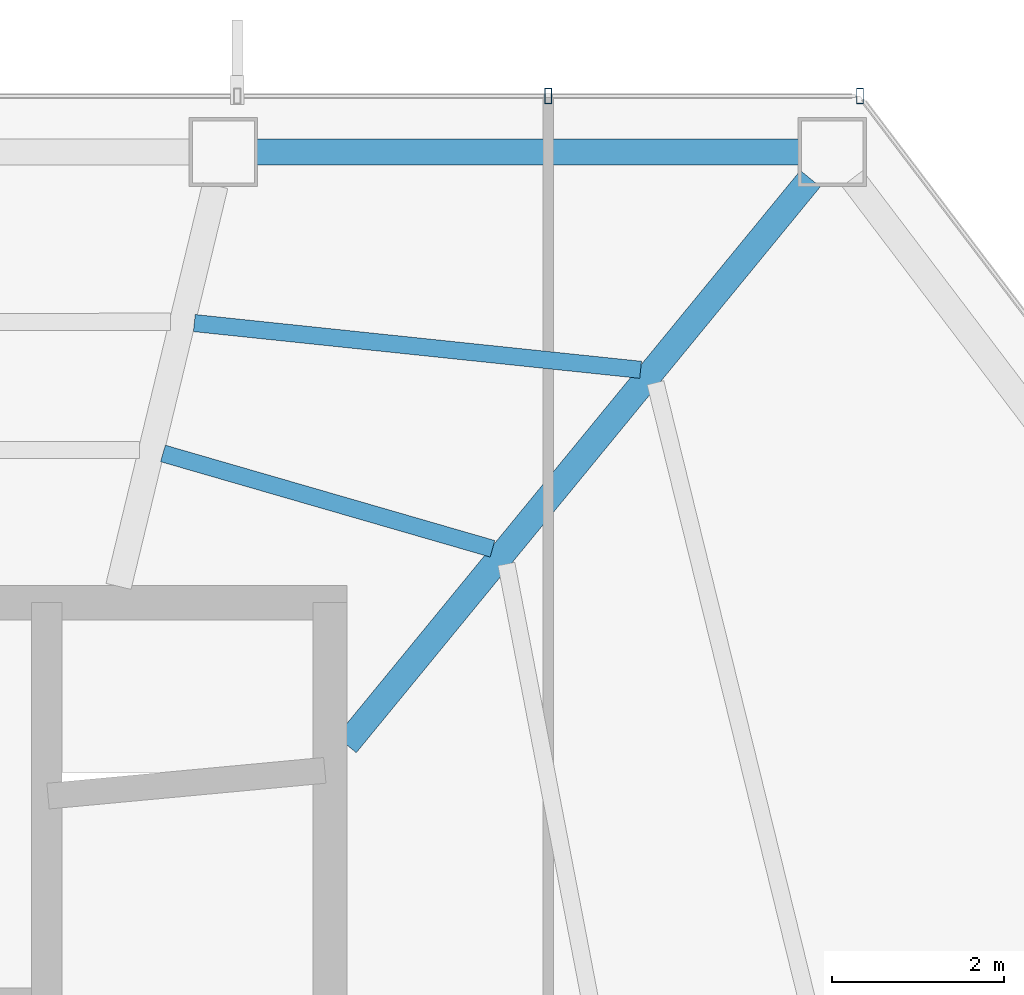
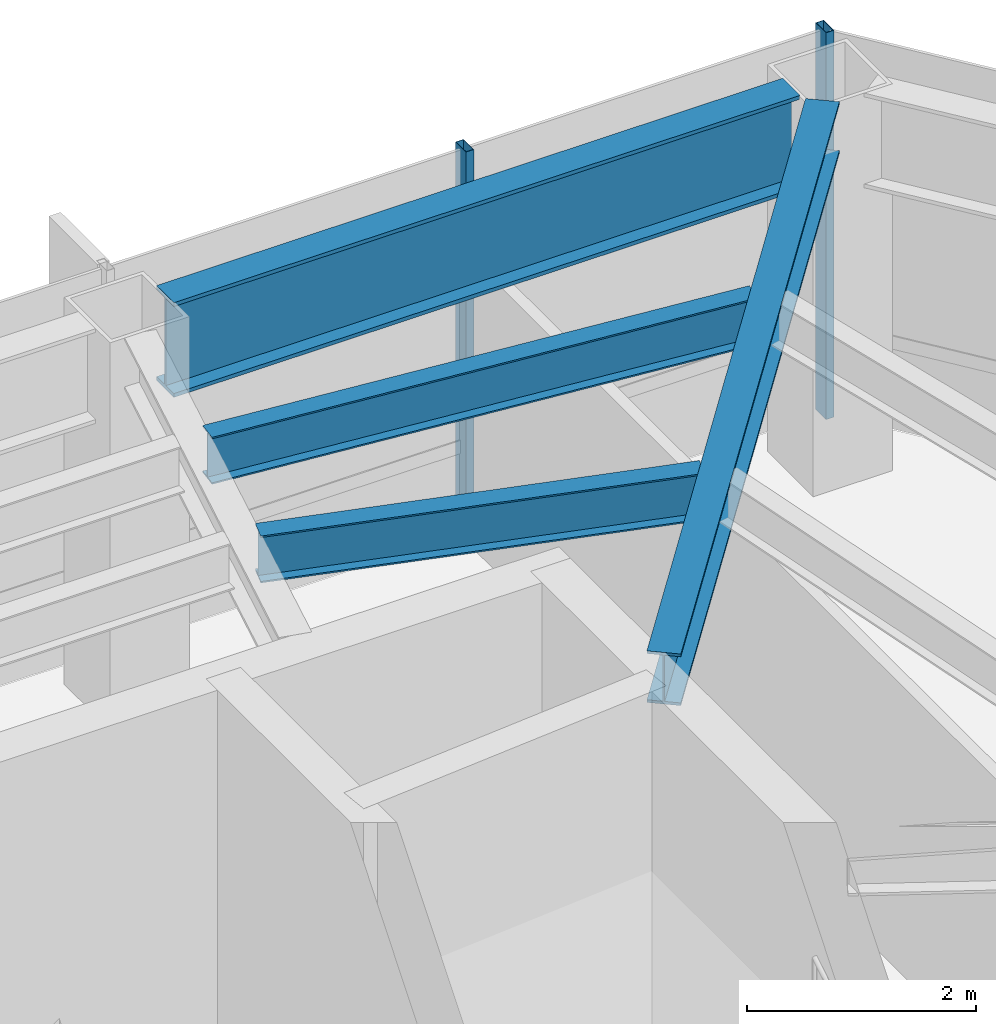
# One storey, part 19 of 27: 4 beams, 2 members, 1 element without a shape of its own.
"""IFC4 building model written with IfcOpenShell, lengths in metres."""

from ifc_helpers import new_model, si_unit, direction, frame, origin, origin_2d, place, context, subcontext, project, spatial, hollow_rectangle, i_section, extrude, material, layer, layer_set, material_profile, profile_set, type_object, element, aggregate, save


model = new_model("IFC4")

# Units and contexts
model_context = context("Model", 3, precision=1e-05, world=origin(), true_north=direction((0.0, 1.0)))
body_context = subcontext(model_context, "Body", "Model", "MODEL_VIEW")
ifc_project = project(units=[si_unit("LENGTHUNIT", "METRE"), si_unit("AREAUNIT", "SQUARE_METRE"), si_unit("VOLUMEUNIT", "CUBIC_METRE"), si_unit("PLANEANGLEUNIT", "RADIAN"), si_unit("MASSUNIT", "GRAM", prefix="KILO")], contexts=[model_context])

# Site, building, storey
site_placement = place(None, origin())
site = spatial("IfcSite", under=ifc_project, at=site_placement, CompositionType="ELEMENT")
building_placement = place(site_placement, origin())
building = spatial("IfcBuilding", under=site, at=building_placement, Name="Zarrinselat Tower", CompositionType="ELEMENT")
storey_placement = place(building_placement, frame((0.0, 0.0, 114.580078125)))
storey = spatial("IfcBuildingStorey", under=building, at=storey_placement, Name="L27", CompositionType="ELEMENT", Elevation=114.580078125)

# Beams
ifc_material_1 = material(Name="Steel S355J2", Category="steel")
ifc_material_profile_1 = material_profile(ifc_material_1, i_section(OverallWidth=0.300048828125, OverallDepth=0.550048828125, WebThickness=0.014892578125, FlangeThickness=0.029052734375, at=origin_2d()), Name="HEB 550")
ifc_profile_set_1 = profile_set([ifc_material_profile_1], Name="Steel S355J2")
beam_type_1 = type_object("IfcBeamType", Name="BM-HEB550", PredefinedType="BEAM", material=ifc_profile_set_1)
beam_1_placement = place(storey_placement, frame((48.449951171875, 41.800048828125, 3.844970703125), z_axis=(0.634077530631, 0.773269477704, 0.0), x_axis=(-0.773269477704, 0.634077530631, 0.0)))
element("IfcBeam", 1, at=beam_1_placement, inside=storey, type_object=beam_type_1, Name="L27 Radial Primary Girder RG01", PredefinedType="BEAM", context=body_context, shape_type="SweptSolid", body=[
    extrude(i_section(OverallWidth=0.300048828125, OverallDepth=0.550048828125, WebThickness=0.014892578125, FlangeThickness=0.029052734375, at=origin_2d()), origin(), (0.0, 0.0, 1.0), 8.513916015625),
])
ifc_material_2 = material(Name="Steel S460M", Category="steel")
ifc_material_profile_2 = material_profile(ifc_material_2, i_section(OverallWidth=0.302001953125, OverallDepth=1.008056640625, WebThickness=0.02099609375, FlangeThickness=0.0400390625, at=origin_2d()), Name="HEM 1000")
ifc_profile_set_2 = profile_set([ifc_material_profile_2], Name="Steel S460M")
beam_type_2 = type_object("IfcBeamType", Name="BM-HEM1000", PredefinedType="BEAM", material=ifc_profile_set_2)
beam_2_placement = place(storey_placement, frame((47.4072265625, 48.6943359375, 3.615966796875), z_axis=(1.0, 0.0, 0.0), x_axis=(0.0, 1.0, 0.0)))
element("IfcBeam", 2, at=beam_2_placement, inside=storey, type_object=beam_type_2, Name="L27 Perimeter Spandrel Girder SP01", PredefinedType="BEAM", context=body_context, shape_type="SweptSolid", body=[
    extrude(i_section(OverallWidth=0.302001953125, OverallDepth=1.008056640625, WebThickness=0.02099609375, FlangeThickness=0.0400390625, at=origin_2d()), origin(), (0.0, 0.0, 1.0), 6.30810546875),
])
ifc_material_3 = material(Name="Steel S355J2", Category="steel")
ifc_material_profile_3 = material_profile(ifc_material_3, i_section(OverallWidth=0.199951171875, OverallDepth=0.5, WebThickness=0.01025390625, FlangeThickness=0.01611328125, at=origin_2d()), Name="IPE 500")
ifc_profile_set_3 = profile_set([ifc_material_profile_3], Name="Steel S355J2")
beam_type_3 = type_object("IfcBeamType", Name="BM-IPE500", PredefinedType="JOIST", material=ifc_profile_set_3)
beam_3_placement = place(storey_placement, frame((46.681640625, 46.703369140625, 3.869873046875), z_axis=(0.994561938504, -0.104146773736, 0.0), x_axis=(0.104146773736, 0.994561938504, 0.0)))
element("IfcBeam", 3, at=beam_3_placement, inside=storey, type_object=beam_type_3, Name="L27 Composite Floor Joist 6-1", PredefinedType="JOIST", context=body_context, shape_type="SweptSolid", body=[
    extrude(i_section(OverallWidth=0.199951171875, OverallDepth=0.5, WebThickness=0.01025390625, FlangeThickness=0.01611328125, at=origin_2d()), origin(), (0.0, 0.0, 1.0), 5.220458984375),
])
beam_4_placement = place(storey_placement, frame((46.31689453125, 45.186767578125, 3.869873046875), z_axis=(0.960595214186, -0.277951136861, 0.0), x_axis=(0.277951136861, 0.960595214186, 0.0)))
element("IfcBeam", 4, at=beam_4_placement, inside=storey, type_object=beam_type_3, Name="L27 Composite Floor Joist 6-2", PredefinedType="JOIST", context=body_context, shape_type="SweptSolid", body=[
    extrude(i_section(OverallWidth=0.199951171875, OverallDepth=0.5, WebThickness=0.01025390625, FlangeThickness=0.01611328125, at=origin_2d()), origin(), (0.0, 0.0, 1.0), 3.9912109375),
])

# Curtain wall, members
ifc_material_4 = material(Name="Extruded Aluminium Alloy EN AW-6063 T6", Category="aluminium")
ifc_layer = layer(ifc_material_4, 0.195068359375)
ifc_layer_set = layer_set([ifc_layer], Name="Extruded Aluminium Alloy EN AW-6063 T6")
curtain_wall_type = type_object("IfcCurtainWallType", Name="CWS-GDN", PredefinedType="NOTDEFINED", material=ifc_layer_set)
curtain_wall_placement = place(storey_placement, origin())
curtain_wall = element("IfcCurtainWall", 5, at=curtain_wall_placement, inside=storey, type_object=curtain_wall_type, Name="L27 Unitised Curtain Wall CW-L27-E04", PredefinedType="NOTDEFINED")
ifc_material_5 = material(Name="Extruded Aluminium Alloy EN AW-6063 T6", Category="aluminium")
ifc_material_profile_4 = material_profile(ifc_material_5, hollow_rectangle(XDim=0.080078125, YDim=0.179931640625, WallThickness=0.0048828125, at=origin_2d()), Name="RHS 180x80x5")
ifc_profile_set_4 = profile_set([ifc_material_profile_4], Name="Extruded Aluminium Alloy EN AW-6063 T6")
member_type = type_object("IfcMemberType", Name="MEM-CW-MUL", PredefinedType="MULLION", material=ifc_profile_set_4)
member_1_placement = place(storey_placement, frame((50.800048828125, 49.344482421875, 0.0), z_axis=(0.0, 0.0, 1.0), x_axis=(1.0, 0.0, 0.0)))
member_1 = element("IfcMember", 6, at=member_1_placement, type_object=member_type, Name="CW-L27-E04 Mullion 8", PredefinedType="MULLION", context=body_context, shape_type="SweptSolid", body=[
    extrude(hollow_rectangle(XDim=0.080078125, YDim=0.179931640625, WallThickness=0.0048828125, at=origin_2d()), origin(), (0.0, 0.0, 1.0), 4.119873046875),
])
member_2_placement = place(storey_placement, frame((54.42626953125, 49.344482421875, 0.0), z_axis=(0.0, 0.0, 1.0), x_axis=(1.0, 0.0, 0.0)))
member_2 = element("IfcMember", 7, at=member_2_placement, type_object=member_type, Name="CW-L27-E04 Mullion 9", PredefinedType="MULLION", context=body_context, shape_type="SweptSolid", body=[
    extrude(hollow_rectangle(XDim=0.080078125, YDim=0.179931640625, WallThickness=0.0048828125, at=origin_2d()), origin(), (0.0, 0.0, 1.0), 4.119873046875),
])
aggregate(curtain_wall, [member_1, member_2])

save(model, "model.ifc")
